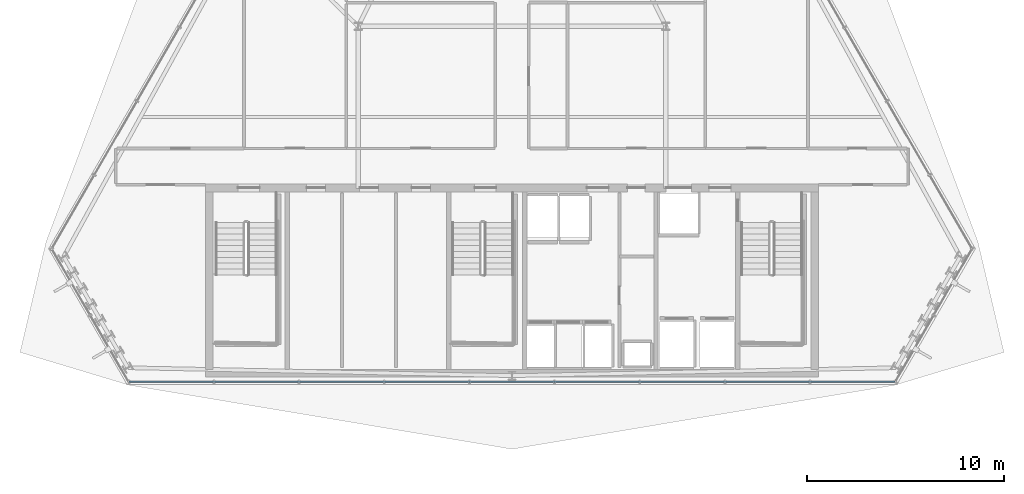
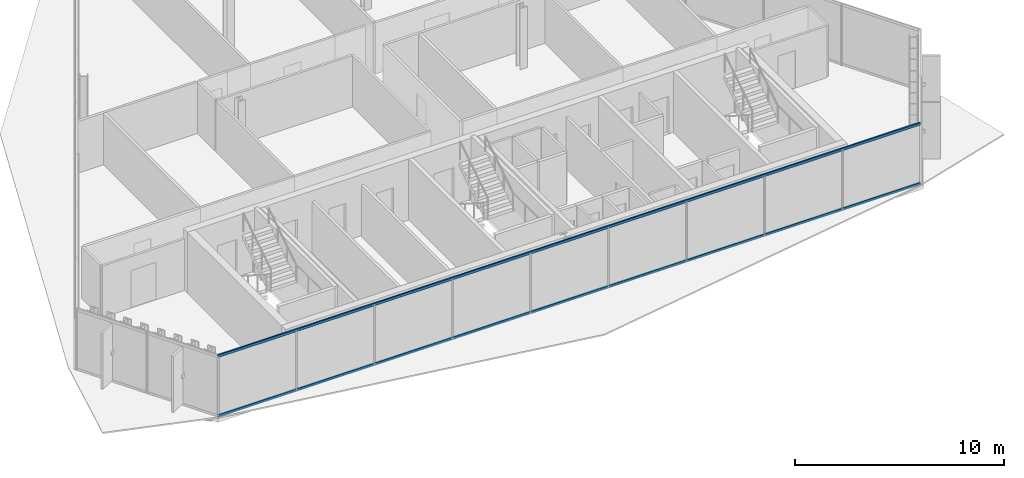
# One storey, part 7 of 37: 2 members, 1 element without a shape of its own.
"""IFC4 building model written with IfcOpenShell, lengths in metres."""

from ifc_helpers import new_model, si_unit, direction, frame, origin, origin_2d, place, context, subcontext, project, spatial, hollow_rectangle, extrude, material, layer, layer_set, material_profile, profile_set, type_object, element, aggregate, save


model = new_model("IFC4")

# Units and contexts
model_context = context("Model", 3, precision=1e-05, world=origin(), true_north=direction((0.0, 1.0)))
body_context = subcontext(model_context, "Body", "Model", "MODEL_VIEW")
ifc_project = project(units=[si_unit("LENGTHUNIT", "METRE"), si_unit("AREAUNIT", "SQUARE_METRE"), si_unit("VOLUMEUNIT", "CUBIC_METRE"), si_unit("PLANEANGLEUNIT", "RADIAN"), si_unit("MASSUNIT", "GRAM", prefix="KILO")], contexts=[model_context])

# Site, building, storey
site_placement = place(None, origin())
site = spatial("IfcSite", under=ifc_project, at=site_placement, CompositionType="ELEMENT")
building_placement = place(site_placement, origin())
building = spatial("IfcBuilding", under=site, at=building_placement, Name="Ndaravel Arena Tower", CompositionType="ELEMENT")
storey_placement = place(building_placement, frame((0.0, 0.0, 218.0)))
storey = spatial("IfcBuildingStorey", under=building, at=storey_placement, Name="L52", CompositionType="ELEMENT", Elevation=218.0)

# Curtain wall, members
ifc_material_1 = material(Name="Aluminium", Category="aluminium")
ifc_layer = layer(ifc_material_1, 0.179931640625)
ifc_layer_set = layer_set([ifc_layer], Name="Aluminium")
curtain_wall_type = type_object("IfcCurtainWallType", Name="CW-SYS-03", PredefinedType="NOTDEFINED", material=ifc_layer_set)
curtain_wall_placement = place(storey_placement, origin())
curtain_wall = element("IfcCurtainWall", 1, at=curtain_wall_placement, inside=storey, type_object=curtain_wall_type, Name="L52 Faceted Crystal Curtain Wall CW-L52-E01", PredefinedType="NOTDEFINED")
ifc_material_2 = material(Name="Aluminium", Category="aluminium")
ifc_material_profile = material_profile(ifc_material_2, hollow_rectangle(XDim=0.074951171875, YDim=0.14990234375, WallThickness=0.00390625, at=origin_2d()), Name="CW TRANSOM 75x150x4")
ifc_profile_set = profile_set([ifc_material_profile], Name="Aluminium")
member_type = type_object("IfcMemberType", Name="MEM-CW-TRN150", PredefinedType="USERDEFINED", material=ifc_profile_set)
member_1_placement = place(storey_placement, frame((22.566650390625, 5.159912109375, 0.0400390625), z_axis=(1.0, 0.0, 0.0), x_axis=(0.0, 1.0, 0.0)))
member_1 = element("IfcMember", 2, at=member_1_placement, type_object=member_type, Name="CW-L52-E01 Transom 01", ObjectType="TRANSOM", PredefinedType="USERDEFINED", context=body_context, shape_type="SweptSolid", body=[
    extrude(hollow_rectangle(XDim=0.074951171875, YDim=0.14990234375, WallThickness=0.00390625, at=origin_2d()), origin(), (0.0, 0.0, 1.0), 38.86669921875),
])
member_2_placement = place(storey_placement, frame((22.566650390625, 5.159912109375, 3.5400390625), z_axis=(1.0, 0.0, 0.0), x_axis=(0.0, 1.0, 0.0)))
member_2 = element("IfcMember", 3, at=member_2_placement, type_object=member_type, Name="CW-L52-E01 Transom 02", ObjectType="TRANSOM", PredefinedType="USERDEFINED", context=body_context, shape_type="SweptSolid", body=[
    extrude(hollow_rectangle(XDim=0.074951171875, YDim=0.14990234375, WallThickness=0.00390625, at=origin_2d()), origin(), (0.0, 0.0, 1.0), 38.86669921875),
])
aggregate(curtain_wall, [member_1, member_2])

save(model, "model.ifc")
